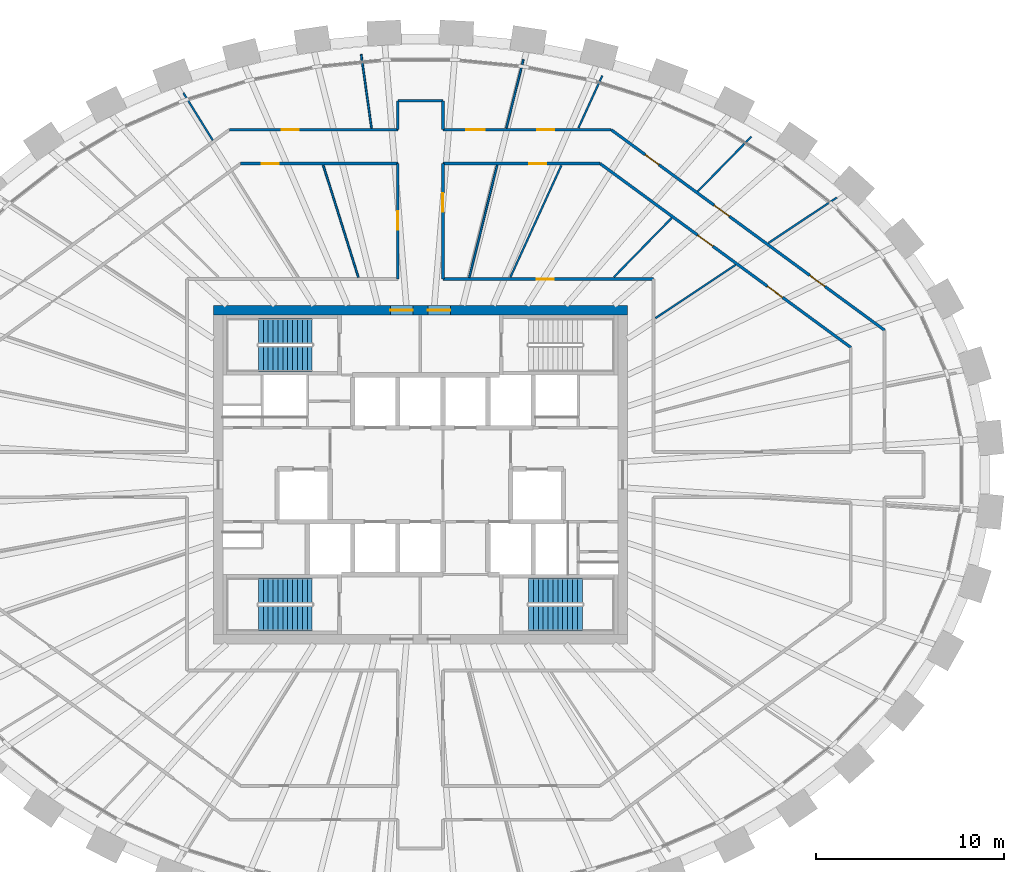
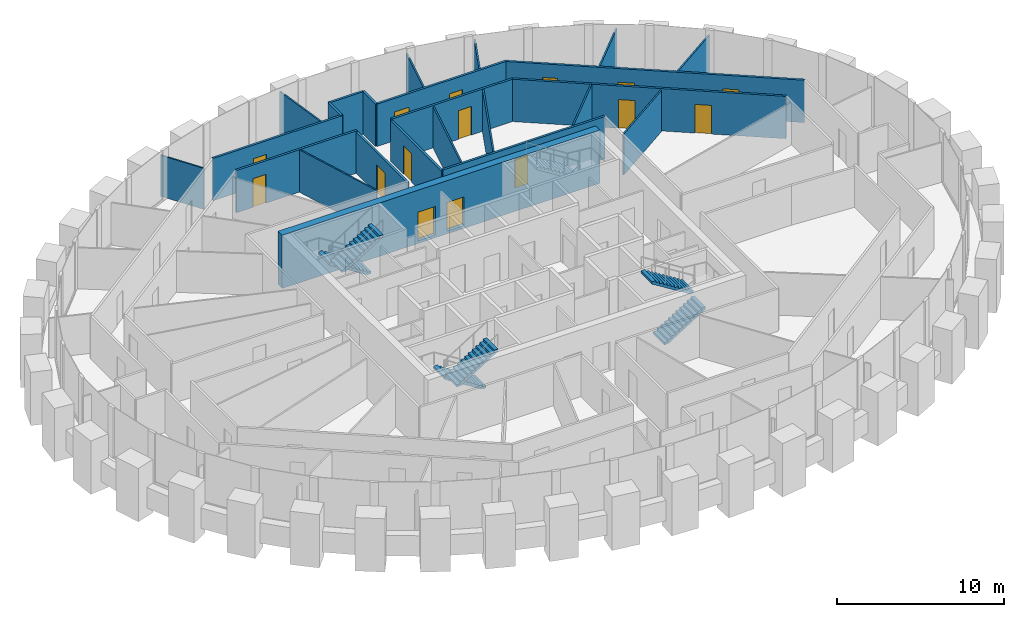
# One storey, part 10 of 12: 24 walls, 15 doors, 6 stair flights, 15 openings, 3 elements without a shape of their own.
"""IFC4 building model written with IfcOpenShell, lengths in metres."""

from ifc_helpers import new_model, si_unit, direction, frame, frame_2d, origin, place, context, subcontext, project, spatial, polyline, rectangle, outline, extrude, source, transform, mapped, material, layer, layer_set, type_object, element, fill, aggregate, save


model = new_model("IFC4")

# Units and contexts
model_context = context("Model", 3, precision=1e-05, world=origin(), true_north=direction((0.0, 1.0)))
body_context = subcontext(model_context, "Body", "Model", "MODEL_VIEW")
ifc_project = project(units=[si_unit("LENGTHUNIT", "METRE"), si_unit("AREAUNIT", "SQUARE_METRE"), si_unit("VOLUMEUNIT", "CUBIC_METRE"), si_unit("PLANEANGLEUNIT", "RADIAN"), si_unit("MASSUNIT", "GRAM", prefix="KILO")], contexts=[model_context])

# Site, building, storey
site_placement = place(None, origin())
site = spatial("IfcSite", under=ifc_project, at=site_placement, CompositionType="ELEMENT")
building_placement = place(site_placement, origin())
building = spatial("IfcBuilding", under=site, at=building_placement, Name="Embergate Tower", CompositionType="ELEMENT")
storey_placement = place(building_placement, frame((0.0, 0.0, 313.0)))
storey = spatial("IfcBuildingStorey", under=building, at=storey_placement, Name="L73", CompositionType="ELEMENT", Elevation=313.0)

# Wall, openings, doors
ifc_material_1 = material(Name="Concrete C50", Category="concrete")
ifc_layer_1 = layer(ifc_material_1, 0.5)
ifc_layer_set_1 = layer_set([ifc_layer_1], Name="Concrete C50")
wall_type_1 = type_object("IfcWallType", Name="Core outer wall C50 500", PredefinedType="SHEAR", material=ifc_layer_set_1)
shared_shape_1 = source(origin(), body_context, "Body", "SweptSolid", [
    extrude(rectangle(XDim=22.0, YDim=0.5, at=frame_2d((11.0, 0.0))), origin(), (0.0, 0.0, 1.0), 3.89990234375),
])
wall_1_placement = place(storey_placement, frame((-11.0, 8.75, -0.199951171875), z_axis=(0.0, 0.0, 1.0), x_axis=(1.0, 0.0, 0.0)))
wall_1 = element("IfcWall", 1, at=wall_1_placement, inside=storey, type_object=wall_type_1, Name="CW-L73-N", PredefinedType="SHEAR", context=body_context, shape_type="MappedRepresentation", body=[
    mapped(shared_shape_1, transform((0.0, 0.0, 0.0))),
])
shared_shape_2 = source(origin(), body_context, "Body", "SweptSolid", [
    extrude(rectangle(XDim=1.199951171875, YDim=2.10009765625, at=frame_2d((0.60009765625, 1.050048828125))), frame((0.0, 0.260009765625, 0.0), z_axis=(0.0, -1.0, 0.0), x_axis=(1.0, 0.0, 0.0)), (0.0, 0.0, 1.0), 0.52001953125),
])
opening_1_placement = place(wall_1_placement, frame((9.39990234375, 0.0, 0.199951171875)))
opening_1 = element("IfcOpeningElement", 2, at=opening_1_placement, cuts=wall_1, Name="Opening IF-1", PredefinedType="OPENING", context=body_context, shape_type="MappedRepresentation", body=[
    mapped(shared_shape_2, transform((0.0, 0.0, 0.0))),
])
opening_2_placement = place(wall_1_placement, frame((11.39990234375, 0.0, 0.199951171875)))
opening_2 = element("IfcOpeningElement", 3, at=opening_2_placement, cuts=wall_1, Name="Opening IF-1", PredefinedType="OPENING", context=body_context, shape_type="MappedRepresentation", body=[
    mapped(shared_shape_2, transform((0.0, 0.0, 0.0))),
])
ifc_material_2 = material(Name="Escape fire door 1200")
door_type_1 = type_object("IfcDoorType", Name="Escape fire door 1200", OperationType="SINGLE_SWING_LEFT", PredefinedType="DOOR", material=ifc_material_2)
shared_shape_3 = source(origin(), body_context, "Body", "SweptSolid", [
    extrude(rectangle(XDim=1.199951171875, YDim=2.10009765625, at=frame_2d((0.60009765625, 1.050048828125))), frame((0.0, 0.02490234375, 0.0), z_axis=(0.0, -1.0, 0.0), x_axis=(1.0, 0.0, 0.0)), (0.0, 0.0, 1.0), 0.050048828125),
])
door_1_placement = place(opening_1_placement, origin())
door_1 = element("IfcDoor", 4, at=door_1_placement, inside=storey, type_object=door_type_1, Name="IF-1 door", OperationType="SINGLE_SWING_LEFT", OverallHeight=2.10009765625, OverallWidth=1.199951171875, PredefinedType="DOOR", context=body_context, shape_type="MappedRepresentation", body=[
    mapped(shared_shape_3, transform((0.0, 0.0, 0.0))),
])
fill(opening_1, door_1)
door_2_placement = place(opening_2_placement, origin())
door_2 = element("IfcDoor", 5, at=door_2_placement, inside=storey, type_object=door_type_1, Name="IF-1 door", OperationType="SINGLE_SWING_RIGHT", OverallHeight=2.10009765625, OverallWidth=1.199951171875, PredefinedType="DOOR", context=body_context, shape_type="MappedRepresentation", body=[
    mapped(shared_shape_3, transform((0.0, 0.0, 0.0))),
])
fill(opening_2, door_2)

# Wall, opening, door
ifc_material_3 = material(Name="Corridor wall dry-lined 150")
ifc_layer_2 = layer(ifc_material_3, 0.14990234375)
ifc_layer_set_2 = layer_set([ifc_layer_2], Name="Corridor wall dry-lined 150")
wall_type_2 = type_object("IfcWallType", Name="Corridor wall dry-lined 150", PredefinedType="PARTITIONING", material=ifc_layer_set_2)
shared_shape_4 = source(origin(), body_context, "Body", "SweptSolid", [
    extrude(rectangle(XDim=11.199951171875, YDim=0.14990234375, at=frame_2d((5.60009765625, 0.0))), origin(), (0.0, 0.0, 1.0), 3.10009765625),
])
wall_2_placement = place(storey_placement, frame((12.39990234375, 10.39990234375, 0.0), z_axis=(0.0, 0.0, 1.0), x_axis=(-1.0, 0.0, 0.0)))
wall_2 = element("IfcWall", 6, at=wall_2_placement, inside=storey, type_object=wall_type_2, Name="IP-2 wall", PredefinedType="PARTITIONING", context=body_context, shape_type="MappedRepresentation", body=[
    mapped(shared_shape_4, transform((0.0, 0.0, 0.0))),
])
shared_shape_5 = source(origin(), body_context, "Body", "SweptSolid", [
    extrude(rectangle(XDim=0.89990234375, YDim=2.10009765625, at=frame_2d((0.449951171875, 1.050048828125))), frame((0.0, 0.0849609375, 0.0), z_axis=(0.0, -1.0, 0.0), x_axis=(1.0, 0.0, 0.0)), (0.0, 0.0, 1.0), 0.169921875),
])
opening_3_placement = place(wall_2_placement, frame((5.31591796875, 0.0, 0.0)))
opening_3 = element("IfcOpeningElement", 7, at=opening_3_placement, cuts=wall_2, Name="Opening IF-1c", PredefinedType="OPENING", context=body_context, shape_type="MappedRepresentation", body=[
    mapped(shared_shape_5, transform((0.0, 0.0, 0.0))),
])
ifc_material_4 = material(Name="Escape fire door 900")
door_type_2 = type_object("IfcDoorType", Name="Escape fire door 900", OperationType="SINGLE_SWING_LEFT", PredefinedType="DOOR", material=ifc_material_4)
shared_shape_6 = source(origin(), body_context, "Body", "SweptSolid", [
    extrude(rectangle(XDim=0.89990234375, YDim=2.10009765625, at=frame_2d((0.449951171875, 1.050048828125))), frame((0.0, 0.02490234375, 0.0), z_axis=(0.0, -1.0, 0.0), x_axis=(1.0, 0.0, 0.0)), (0.0, 0.0, 1.0), 0.050048828125),
])
door_3_placement = place(opening_3_placement, origin())
door_3 = element("IfcDoor", 8, at=door_3_placement, inside=storey, type_object=door_type_2, Name="IF-1 door", OperationType="SINGLE_SWING_LEFT", OverallHeight=2.10009765625, OverallWidth=0.89990234375, PredefinedType="DOOR", context=body_context, shape_type="MappedRepresentation", body=[
    mapped(shared_shape_6, transform((0.0, 0.0, 0.0))),
])
fill(opening_3, door_3)

# Wall
shared_shape_7 = source(origin(), body_context, "Body", "SweptSolid", [
    extrude(rectangle(XDim=2.39990234375, YDim=0.14990234375, at=frame_2d((1.199951171875, 0.0))), origin(), (0.0, 0.0, 1.0), 3.10009765625),
])
wall_3_placement = place(storey_placement, frame((-1.199951171875, 19.8779296875, 0.0), z_axis=(0.0, 0.0, 1.0), x_axis=(1.0, 0.0, 0.0)))
element("IfcWall", 9, at=wall_3_placement, inside=storey, type_object=wall_type_2, Name="IP-2 wall", PredefinedType="PARTITIONING", context=body_context, shape_type="MappedRepresentation", body=[
    mapped(shared_shape_7, transform((0.0, 0.0, 0.0))),
])

# Wall, openings, doors
shared_shape_8 = source(origin(), body_context, "Body", "SweptSolid", [
    extrude(rectangle(XDim=18.027099609375, YDim=0.14990234375, at=frame_2d((9.013671875, 0.0))), origin(), (0.0, 0.0, 1.0), 3.10009765625),
])
wall_4_placement = place(storey_placement, frame((24.681884765625, 7.679931640625, 0.0), z_axis=(0.0, 0.0, 1.0), x_axis=(-0.80638475932, 0.591391257914, 0.0)))
wall_4 = element("IfcWall", 10, at=wall_4_placement, inside=storey, type_object=wall_type_2, Name="IP-2 wall", PredefinedType="PARTITIONING", context=body_context, shape_type="MappedRepresentation", body=[
    mapped(shared_shape_8, transform((0.0, 0.0, 0.0))),
])
shared_shape_9 = source(origin(), body_context, "Body", "SweptSolid", [
    extrude(rectangle(XDim=1.0, YDim=2.10009765625, at=frame_2d((0.5, 1.050048828125))), frame((0.0, 0.0849609375, 0.0), z_axis=(0.0, -1.0, 0.0), x_axis=(1.0, 0.0, 0.0)), (0.0, 0.0, 1.0), 0.169921875),
])
opening_4_placement = place(wall_4_placement, frame((3.932861328125, 0.0, 0.0)))
opening_4 = element("IfcOpeningElement", 11, at=opening_4_placement, cuts=wall_4, Name="Opening ID-2", PredefinedType="OPENING", context=body_context, shape_type="MappedRepresentation", body=[
    mapped(shared_shape_9, transform((0.0, 0.0, 0.0))),
])
opening_5_placement = place(wall_4_placement, frame((10.23876953125, 0.0, 0.0)))
opening_5 = element("IfcOpeningElement", 12, at=opening_5_placement, cuts=wall_4, Name="Opening ID-2", PredefinedType="OPENING", context=body_context, shape_type="MappedRepresentation", body=[
    mapped(shared_shape_9, transform((0.0, 0.0, 0.0))),
])
opening_6_placement = place(wall_4_placement, frame((14.87939453125, 0.0, 0.0)))
opening_6 = element("IfcOpeningElement", 13, at=opening_6_placement, cuts=wall_4, Name="Opening IF-1c", PredefinedType="OPENING", context=body_context, shape_type="MappedRepresentation", body=[
    mapped(shared_shape_5, transform((0.0, 0.0, 0.0))),
])
door_4_placement = place(opening_6_placement, origin())
door_4 = element("IfcDoor", 14, at=door_4_placement, inside=storey, type_object=door_type_2, Name="IF-1 door", OperationType="SINGLE_SWING_LEFT", OverallHeight=2.10009765625, OverallWidth=0.89990234375, PredefinedType="DOOR", context=body_context, shape_type="MappedRepresentation", body=[
    mapped(shared_shape_6, transform((0.0, 0.0, 0.0))),
])
fill(opening_6, door_4)
ifc_material_5 = material(Name="Interior door 1000")
door_type_3 = type_object("IfcDoorType", Name="Interior door 1000", OperationType="SINGLE_SWING_LEFT", PredefinedType="DOOR", material=ifc_material_5)
shared_shape_10 = source(origin(), body_context, "Body", "SweptSolid", [
    extrude(rectangle(XDim=1.0, YDim=2.10009765625, at=frame_2d((0.5, 1.050048828125))), frame((0.0, 0.02490234375, 0.0), z_axis=(0.0, -1.0, 0.0), x_axis=(1.0, 0.0, 0.0)), (0.0, 0.0, 1.0), 0.050048828125),
])
door_5_placement = place(opening_4_placement, origin())
door_5 = element("IfcDoor", 15, at=door_5_placement, inside=storey, type_object=door_type_3, Name="ID-2 door", OperationType="SINGLE_SWING_RIGHT", OverallHeight=2.10009765625, OverallWidth=1.0, PredefinedType="DOOR", context=body_context, shape_type="MappedRepresentation", body=[
    mapped(shared_shape_10, transform((0.0, 0.0, 0.0))),
])
fill(opening_4, door_5)
door_6_placement = place(opening_5_placement, origin())
door_6 = element("IfcDoor", 16, at=door_6_placement, inside=storey, type_object=door_type_3, Name="ID-2 door", OperationType="SINGLE_SWING_LEFT", OverallHeight=2.10009765625, OverallWidth=1.0, PredefinedType="DOOR", context=body_context, shape_type="MappedRepresentation", body=[
    mapped(shared_shape_10, transform((0.0, 0.0, 0.0))),
])
fill(opening_5, door_6)

shared_shape_11 = source(origin(), body_context, "Body", "SweptSolid", [
    extrude(rectangle(XDim=16.525634765625, YDim=0.14990234375, at=frame_2d((8.2626953125, 0.0))), origin(), (0.0, 0.0, 1.0), 3.10009765625),
])
wall_5_placement = place(storey_placement, frame((9.555908203125, 16.541015625, 0.0), z_axis=(0.0, 0.0, 1.0), x_axis=(0.806392784122, -0.591380315631, 0.0)))
wall_5 = element("IfcWall", 17, at=wall_5_placement, inside=storey, type_object=wall_type_2, Name="IP-2 wall", PredefinedType="PARTITIONING", context=body_context, shape_type="MappedRepresentation", body=[
    mapped(shared_shape_11, transform((0.0, 0.0, 0.0))),
])
opening_7_placement = place(wall_5_placement, frame((11.03271484375, 0.0, 0.0)))
opening_7 = element("IfcOpeningElement", 18, at=opening_7_placement, cuts=wall_5, Name="Opening ID-2", PredefinedType="OPENING", context=body_context, shape_type="MappedRepresentation", body=[
    mapped(shared_shape_9, transform((0.0, 0.0, 0.0))),
])
opening_8_placement = place(wall_5_placement, frame((6.4345703125, 0.0, 0.0)))
opening_8 = element("IfcOpeningElement", 19, at=opening_8_placement, cuts=wall_5, Name="Opening ID-2", PredefinedType="OPENING", context=body_context, shape_type="MappedRepresentation", body=[
    mapped(shared_shape_9, transform((0.0, 0.0, 0.0))),
])
door_7_placement = place(opening_7_placement, origin())
door_7 = element("IfcDoor", 20, at=door_7_placement, inside=storey, type_object=door_type_3, Name="ID-2 door", OperationType="SINGLE_SWING_LEFT", OverallHeight=2.10009765625, OverallWidth=1.0, PredefinedType="DOOR", context=body_context, shape_type="MappedRepresentation", body=[
    mapped(shared_shape_10, transform((0.0, 0.0, 0.0))),
])
fill(opening_7, door_7)
door_8_placement = place(opening_8_placement, origin())
door_8 = element("IfcDoor", 21, at=door_8_placement, inside=storey, type_object=door_type_3, Name="ID-2 door", OperationType="SINGLE_SWING_RIGHT", OverallHeight=2.10009765625, OverallWidth=1.0, PredefinedType="DOOR", context=body_context, shape_type="MappedRepresentation", body=[
    mapped(shared_shape_10, transform((0.0, 0.0, 0.0))),
])
fill(opening_8, door_8)

shared_shape_12 = source(origin(), body_context, "Body", "SweptSolid", [
    extrude(rectangle(XDim=8.945068359375, YDim=0.14990234375, at=frame_2d((4.47265625, 0.0))), origin(), (0.0, 0.0, 1.0), 3.10009765625),
])
wall_6_placement = place(storey_placement, frame((10.14501953125, 18.341064453125, 0.0), z_axis=(0.0, 0.0, 1.0), x_axis=(-1.0, 0.0, 0.0)))
wall_6 = element("IfcWall", 22, at=wall_6_placement, inside=storey, type_object=wall_type_2, Name="IP-2 wall", PredefinedType="PARTITIONING", context=body_context, shape_type="MappedRepresentation", body=[
    mapped(shared_shape_12, transform((0.0, 0.0, 0.0))),
])
opening_9_placement = place(wall_6_placement, frame((3.0302734375, 0.0, 0.0)))
opening_9 = element("IfcOpeningElement", 23, at=opening_9_placement, cuts=wall_6, Name="Opening IF-1c", PredefinedType="OPENING", context=body_context, shape_type="MappedRepresentation", body=[
    mapped(shared_shape_5, transform((0.0, 0.0, 0.0))),
])
opening_10_placement = place(wall_6_placement, frame((6.71630859375, 0.0, 0.0)))
opening_10 = element("IfcOpeningElement", 24, at=opening_10_placement, cuts=wall_6, Name="Opening ID-2", PredefinedType="OPENING", context=body_context, shape_type="MappedRepresentation", body=[
    mapped(shared_shape_9, transform((0.0, 0.0, 0.0))),
])
door_9_placement = place(opening_9_placement, origin())
door_9 = element("IfcDoor", 25, at=door_9_placement, inside=storey, type_object=door_type_2, Name="IF-1 door", OperationType="SINGLE_SWING_RIGHT", OverallHeight=2.10009765625, OverallWidth=0.89990234375, PredefinedType="DOOR", context=body_context, shape_type="MappedRepresentation", body=[
    mapped(shared_shape_6, transform((0.0, 0.0, 0.0))),
])
fill(opening_9, door_9)
door_10_placement = place(opening_10_placement, origin())
door_10 = element("IfcDoor", 26, at=door_10_placement, inside=storey, type_object=door_type_3, Name="ID-2 door", OperationType="SINGLE_SWING_LEFT", OverallHeight=2.10009765625, OverallWidth=1.0, PredefinedType="DOOR", context=body_context, shape_type="MappedRepresentation", body=[
    mapped(shared_shape_10, transform((0.0, 0.0, 0.0))),
])
fill(opening_10, door_10)

# Wall, opening, door
wall_7_placement = place(storey_placement, frame((-10.14501953125, 18.341064453125, 0.0), z_axis=(0.0, 0.0, 1.0), x_axis=(1.0, 0.0, 0.0)))
wall_7 = element("IfcWall", 27, at=wall_7_placement, inside=storey, type_object=wall_type_2, Name="IP-2 wall", PredefinedType="PARTITIONING", context=body_context, shape_type="MappedRepresentation", body=[
    mapped(shared_shape_12, transform((0.0, 0.0, 0.0))),
])
opening_11_placement = place(wall_7_placement, frame((2.787353515625, 0.0, 0.0)))
opening_11 = element("IfcOpeningElement", 28, at=opening_11_placement, cuts=wall_7, Name="Opening IF-1c", PredefinedType="OPENING", context=body_context, shape_type="MappedRepresentation", body=[
    mapped(shared_shape_5, transform((0.0, 0.0, 0.0))),
])
door_11_placement = place(opening_11_placement, origin())
door_11 = element("IfcDoor", 29, at=door_11_placement, inside=storey, type_object=door_type_2, Name="IF-1 door", OperationType="SINGLE_SWING_LEFT", OverallHeight=2.10009765625, OverallWidth=0.89990234375, PredefinedType="DOOR", context=body_context, shape_type="MappedRepresentation", body=[
    mapped(shared_shape_6, transform((0.0, 0.0, 0.0))),
])
fill(opening_11, door_11)

# Walls
shared_shape_13 = source(origin(), body_context, "Body", "SweptSolid", [
    extrude(rectangle(XDim=1.536865234375, YDim=0.14990234375, at=frame_2d((0.7685546875, 0.0))), origin(), (0.0, 0.0, 1.0), 3.10009765625),
])
for number, where, z_axis, x_axis, name in (
    (30, (-1.199951171875, 18.341064453125, 0.0), (0.0, 0.0, 1.0), (0.0, 1.0, 0.0), "IP-2 wall"),
    (31, (1.199951171875, 19.8779296875, 0.0), (0.0, 0.0, 1.0), (0.0, -1.0, 0.0), "IP-2 wall"),
):
    element("IfcWall", number, at=place(storey_placement, frame(where, z_axis=z_axis, x_axis=x_axis)), inside=storey, type_object=wall_type_2, Name=name, PredefinedType="PARTITIONING", context=body_context, shape_type="MappedRepresentation", body=[
        mapped(shared_shape_13, transform((0.0, 0.0, 0.0))),
    ])

# Wall, opening, door
shared_shape_14 = source(origin(), body_context, "Body", "SweptSolid", [
    extrude(rectangle(XDim=8.35595703125, YDim=0.14990234375, at=frame_2d((4.177978515625, 0.0))), origin(), (0.0, 0.0, 1.0), 3.10009765625),
])
wall_8_placement = place(storey_placement, frame((9.555908203125, 16.541015625, 0.0), z_axis=(0.0, 0.0, 1.0), x_axis=(-1.0, 0.0, 0.0)))
wall_8 = element("IfcWall", 32, at=wall_8_placement, inside=storey, type_object=wall_type_2, Name="IP-2 wall", PredefinedType="PARTITIONING", context=body_context, shape_type="MappedRepresentation", body=[
    mapped(shared_shape_14, transform((0.0, 0.0, 0.0))),
])
opening_12_placement = place(wall_8_placement, frame((2.85693359375, 0.0, 0.0)))
opening_12 = element("IfcOpeningElement", 33, at=opening_12_placement, cuts=wall_8, Name="Opening IF-1c", PredefinedType="OPENING", context=body_context, shape_type="MappedRepresentation", body=[
    mapped(shared_shape_5, transform((0.0, 0.0, 0.0))),
])
door_12_placement = place(opening_12_placement, origin())
door_12 = element("IfcDoor", 34, at=door_12_placement, inside=storey, type_object=door_type_2, Name="IF-1 door", OperationType="SINGLE_SWING_LEFT", OverallHeight=2.10009765625, OverallWidth=0.89990234375, PredefinedType="DOOR", context=body_context, shape_type="MappedRepresentation", body=[
    mapped(shared_shape_6, transform((0.0, 0.0, 0.0))),
])
fill(opening_12, door_12)

wall_9_placement = place(storey_placement, frame((-1.199951171875, 16.541015625, 0.0), z_axis=(0.0, 0.0, 1.0), x_axis=(-1.0, 0.0, 0.0)))
wall_9 = element("IfcWall", 35, at=wall_9_placement, inside=storey, type_object=wall_type_2, Name="IP-2 wall", PredefinedType="PARTITIONING", context=body_context, shape_type="MappedRepresentation", body=[
    mapped(shared_shape_14, transform((0.0, 0.0, 0.0))),
])
opening_13_placement = place(wall_9_placement, frame((6.323974609375, 0.0, 0.0)))
opening_13 = element("IfcOpeningElement", 36, at=opening_13_placement, cuts=wall_9, Name="Opening IF-1c", PredefinedType="OPENING", context=body_context, shape_type="MappedRepresentation", body=[
    mapped(shared_shape_5, transform((0.0, 0.0, 0.0))),
])
door_13_placement = place(opening_13_placement, origin())
door_13 = element("IfcDoor", 37, at=door_13_placement, inside=storey, type_object=door_type_2, Name="IF-1 door", OperationType="SINGLE_SWING_RIGHT", OverallHeight=2.10009765625, OverallWidth=0.89990234375, PredefinedType="DOOR", context=body_context, shape_type="MappedRepresentation", body=[
    mapped(shared_shape_6, transform((0.0, 0.0, 0.0))),
])
fill(opening_13, door_13)

shared_shape_15 = source(origin(), body_context, "Body", "SweptSolid", [
    extrude(rectangle(XDim=6.14111328125, YDim=0.14990234375, at=frame_2d((3.070556640625, 0.0))), origin(), (0.0, 0.0, 1.0), 3.0),
])
wall_10_placement = place(storey_placement, frame((-1.199951171875, 10.39990234375, 0.0), z_axis=(0.0, 0.0, 1.0), x_axis=(0.0, 1.0, 0.0)))
wall_10 = element("IfcWall", 38, at=wall_10_placement, inside=storey, type_object=wall_type_2, Name="IP-2 wall", PredefinedType="PARTITIONING", context=body_context, shape_type="MappedRepresentation", body=[
    mapped(shared_shape_15, transform((0.0, 0.0, 0.0))),
])
opening_14_placement = place(wall_10_placement, frame((2.615966796875, 0.0, 0.0)))
opening_14 = element("IfcOpeningElement", 39, at=opening_14_placement, cuts=wall_10, Name="Opening ID-2", PredefinedType="OPENING", context=body_context, shape_type="MappedRepresentation", body=[
    mapped(shared_shape_9, transform((0.0, 0.0, 0.0))),
])
door_14_placement = place(opening_14_placement, origin())
door_14 = element("IfcDoor", 40, at=door_14_placement, inside=storey, type_object=door_type_3, Name="ID-2 door", OperationType="SINGLE_SWING_RIGHT", OverallHeight=2.10009765625, OverallWidth=1.0, PredefinedType="DOOR", context=body_context, shape_type="MappedRepresentation", body=[
    mapped(shared_shape_10, transform((0.0, 0.0, 0.0))),
])
fill(opening_14, door_14)

wall_11_placement = place(storey_placement, frame((1.199951171875, 16.541015625, 0.0), z_axis=(0.0, 0.0, 1.0), x_axis=(0.0, -1.0, 0.0)))
wall_11 = element("IfcWall", 41, at=wall_11_placement, inside=storey, type_object=wall_type_2, Name="IP-2 wall", PredefinedType="PARTITIONING", context=body_context, shape_type="MappedRepresentation", body=[
    mapped(shared_shape_15, transform((0.0, 0.0, 0.0))),
])
opening_15_placement = place(wall_11_placement, frame((1.571044921875, 0.0, 0.0)))
opening_15 = element("IfcOpeningElement", 42, at=opening_15_placement, cuts=wall_11, Name="Opening ID-2", PredefinedType="OPENING", context=body_context, shape_type="MappedRepresentation", body=[
    mapped(shared_shape_9, transform((0.0, 0.0, 0.0))),
])
door_15_placement = place(opening_15_placement, origin())
door_15 = element("IfcDoor", 43, at=door_15_placement, inside=storey, type_object=door_type_3, Name="ID-2 door", OperationType="SINGLE_SWING_RIGHT", OverallHeight=2.10009765625, OverallWidth=1.0, PredefinedType="DOOR", context=body_context, shape_type="MappedRepresentation", body=[
    mapped(shared_shape_10, transform((0.0, 0.0, 0.0))),
])
fill(opening_15, door_15)

# Walls
ifc_material_6 = material(Name="Partition dry-lined 100")
ifc_layer_3 = layer(ifc_material_6, 0.10009765625)
ifc_layer_set_3 = layer_set([ifc_layer_3], Name="Partition dry-lined 100")
wall_type_3 = type_object("IfcWallType", Name="Partition dry-lined 100", PredefinedType="PARTITIONING", material=ifc_layer_set_3)
shared_shape_16 = source(origin(), body_context, "Body", "SweptSolid", [
    extrude(rectangle(XDim=2.9609375, YDim=0.10009765625, at=frame_2d((1.48046875, 0.0))), origin(), (0.0, 0.0, 1.0), 3.0),
])
wall_12_placement = place(storey_placement, frame((-11.035888671875, 17.780029296875, 0.0), z_axis=(0.0, 0.0, 1.0), x_axis=(-0.527231490146, 0.849721693143, 0.0)))
element("IfcWall", 44, at=wall_12_placement, inside=storey, type_object=wall_type_3, Name="IP-1 wall", PredefinedType="PARTITIONING", context=body_context, shape_type="MappedRepresentation", body=[
    mapped(shared_shape_16, transform((0.0, 0.0, 0.0))),
])
shared_shape_17 = source(origin(), body_context, "Body", "SweptSolid", [
    extrude(rectangle(XDim=3.7626953125, YDim=0.10009765625, at=frame_2d((1.88134765625, 0.0))), origin(), (0.0, 0.0, 1.0), 3.0),
])
wall_13_placement = place(storey_placement, frame((4.573974609375, 18.427978515625, 0.0), z_axis=(0.0, 0.0, 1.0), x_axis=(0.240779579239, 0.970579823725, 0.0)))
element("IfcWall", 45, at=wall_13_placement, inside=storey, type_object=wall_type_3, Name="IP-1 wall", PredefinedType="PARTITIONING", context=body_context, shape_type="MappedRepresentation", body=[
    mapped(shared_shape_17, transform((0.0, 0.0, 0.0))),
])
shared_shape_18 = source(origin(), body_context, "Body", "SweptSolid", [
    extrude(rectangle(XDim=6.148193359375, YDim=0.10009765625, at=frame_2d((3.07421875, 0.0))), origin(), (0.0, 0.0, 1.0), 3.0),
])
wall_14_placement = place(storey_placement, frame((2.60302734375, 10.487060546875, 0.0), z_axis=(0.0, 0.0, 1.0), x_axis=(0.240881463777, 0.970554542727, 0.0)))
element("IfcWall", 46, at=wall_14_placement, inside=storey, type_object=wall_type_3, Name="IP-1 wall", PredefinedType="PARTITIONING", context=body_context, shape_type="MappedRepresentation", body=[
    mapped(shared_shape_18, transform((0.0, 0.0, 0.0))),
])
shared_shape_19 = source(origin(), body_context, "Body", "SweptSolid", [
    extrude(rectangle(XDim=4.36279296875, YDim=0.10009765625, at=frame_2d((2.181396484375, 0.0))), origin(), (0.0, 0.0, 1.0), 3.0),
])
wall_15_placement = place(storey_placement, frame((18.510009765625, 12.320068359375, 0.0), z_axis=(0.0, 0.0, 1.0), x_axis=(0.832514899446, 0.554002655409, 0.0)))
element("IfcWall", 47, at=wall_15_placement, inside=storey, type_object=wall_type_3, Name="IP-1 wall", PredefinedType="PARTITIONING", context=body_context, shape_type="MappedRepresentation", body=[
    mapped(shared_shape_19, transform((0.0, 0.0, 0.0))),
])
shared_shape_20 = source(origin(), body_context, "Body", "SweptSolid", [
    extrude(rectangle(XDim=5.103271484375, YDim=0.10009765625, at=frame_2d((2.5517578125, 0.0))), origin(), (0.0, 0.0, 1.0), 3.0),
])
wall_16_placement = place(storey_placement, frame((12.5029296875, 8.322021484375, 0.0), z_axis=(0.0, 0.0, 1.0), x_axis=(0.832425468101, 0.554137022817, 0.0)))
element("IfcWall", 48, at=wall_16_placement, inside=storey, type_object=wall_type_3, Name="IP-1 wall", PredefinedType="PARTITIONING", context=body_context, shape_type="MappedRepresentation", body=[
    mapped(shared_shape_20, transform((0.0, 0.0, 0.0))),
])
shared_shape_21 = source(origin(), body_context, "Body", "SweptSolid", [
    extrude(rectangle(XDim=4.0732421875, YDim=0.10009765625, at=frame_2d((2.03662109375, 0.0))), origin(), (0.0, 0.0, 1.0), 3.10009765625),
])
wall_17_placement = place(storey_placement, frame((17.60009765625, 17.97607421875, 0.0), z_axis=(0.0, 0.0, 1.0), x_axis=(-0.699696186737, -0.714440512755, 0.0)))
element("IfcWall", 49, at=wall_17_placement, inside=storey, type_object=wall_type_3, Name="IP-1 wall", PredefinedType="PARTITIONING", context=body_context, shape_type="MappedRepresentation", body=[
    mapped(shared_shape_21, transform((0.0, 0.0, 0.0))),
])
shared_shape_22 = source(origin(), body_context, "Body", "SweptSolid", [
    extrude(rectangle(XDim=3.053466796875, YDim=0.10009765625, at=frame_2d((1.52685546875, 0.0))), origin(), (0.0, 0.0, 1.0), 3.10009765625),
])
wall_18_placement = place(storey_placement, frame((8.405029296875, 18.43701171875, 0.0), z_axis=(0.0, 0.0, 1.0), x_axis=(0.414977311881, 0.909831759516, 0.0)))
element("IfcWall", 50, at=wall_18_placement, inside=storey, type_object=wall_type_3, Name="IP-1 wall", PredefinedType="PARTITIONING", context=body_context, shape_type="MappedRepresentation", body=[
    mapped(shared_shape_22, transform((0.0, 0.0, 0.0))),
])
shared_shape_23 = source(origin(), body_context, "Body", "SweptSolid", [
    extrude(rectangle(XDim=4.391357421875, YDim=0.10009765625, at=frame_2d((2.19580078125, 0.0))), origin(), (0.0, 0.0, 1.0), 3.10009765625),
])
wall_19_placement = place(storey_placement, frame((13.362060546875, 13.64794921875, 0.0), z_axis=(0.0, 0.0, 1.0), x_axis=(-0.699561519346, -0.714572376075, 0.0)))
element("IfcWall", 51, at=wall_19_placement, inside=storey, type_object=wall_type_3, Name="IP-1 wall", PredefinedType="PARTITIONING", context=body_context, shape_type="MappedRepresentation", body=[
    mapped(shared_shape_23, transform((0.0, 0.0, 0.0))),
])
shared_shape_24 = source(origin(), body_context, "Body", "SweptSolid", [
    extrude(rectangle(XDim=6.5380859375, YDim=0.10009765625, at=frame_2d((3.26904296875, 0.0))), origin(), (0.0, 0.0, 1.0), 3.10009765625),
])
wall_20_placement = place(storey_placement, frame((4.784912109375, 10.49609375, 0.0), z_axis=(0.0, 0.0, 1.0), x_axis=(0.414826760425, 0.909900411493, 0.0)))
element("IfcWall", 52, at=wall_20_placement, inside=storey, type_object=wall_type_3, Name="IP-1 wall", PredefinedType="PARTITIONING", context=body_context, shape_type="MappedRepresentation", body=[
    mapped(shared_shape_24, transform((0.0, 0.0, 0.0))),
])
shared_shape_25 = source(origin(), body_context, "Body", "SweptSolid", [
    extrude(rectangle(XDim=3.96240234375, YDim=0.10009765625, at=frame_2d((1.981201171875, 0.0))), origin(), (0.0, 0.0, 1.0), 3.10009765625),
])
wall_21_placement = place(storey_placement, frame((-2.594970703125, 18.423095703125, 0.0), z_axis=(0.0, 0.0, 1.0), x_axis=(-0.139307697399, 0.990249143118, 0.0)))
element("IfcWall", 53, at=wall_21_placement, inside=storey, type_object=wall_type_3, Name="IP-1 wall", PredefinedType="PARTITIONING", context=body_context, shape_type="MappedRepresentation", body=[
    mapped(shared_shape_25, transform((0.0, 0.0, 0.0))),
])
shared_shape_26 = source(origin(), body_context, "Body", "SweptSolid", [
    extrude(rectangle(XDim=6.247802734375, YDim=0.10009765625, at=frame_2d((3.1240234375, 0.0))), origin(), (0.0, 0.0, 1.0), 3.10009765625),
])
wall_22_placement = place(storey_placement, frame((-3.29296875, 10.489990234375, 0.0), z_axis=(0.0, 0.0, 1.0), x_axis=(-0.299485162949, 0.954100957537, 0.0)))
element("IfcWall", 54, at=wall_22_placement, inside=storey, type_object=wall_type_3, Name="IP-1 wall", PredefinedType="PARTITIONING", context=body_context, shape_type="MappedRepresentation", body=[
    mapped(shared_shape_26, transform((0.0, 0.0, 0.0))),
])

# Stair, stair flights
ifc_material_7 = material(Name="Exit stair")
stair_type = type_object("IfcStairType", Name="Exit stair", PredefinedType="HALF_TURN_STAIR", material=ifc_material_7)
stair_1_placement = place(storey_placement, origin())
stair_1 = element("IfcStair", 55, at=stair_1_placement, inside=storey, type_object=stair_type, Name="L73 Exit stair 1", PredefinedType="HALF_TURN_STAIR")
ifc_material_8 = material(Name="Concrete C40", Category="concrete")
stair_flight_type = type_object("IfcStairFlightType", Name="Stair flight reinforced concrete", PredefinedType="STRAIGHT", material=ifc_material_8)
shared_shape_27 = source(origin(), body_context, "Body", "SweptSolid", [
    extrude(outline(polyline([(0.0, 0.0), (0.0, 0.16259765625), (0.260009765625, 0.16259765625), (0.260009765625, 0.324951171875), (0.52001953125, 0.324951171875), (0.52001953125, 0.487548828125), (0.780029296875, 0.487548828125), (0.780029296875, 0.64990234375), (1.0400390625, 0.64990234375), (1.0400390625, 0.8125), (1.300048828125, 0.8125), (1.300048828125, 0.97509765625), (1.56005859375, 0.97509765625), (1.56005859375, 1.137451171875), (1.820068359375, 1.137451171875), (1.820068359375, 1.300048828125), (2.080078125, 1.300048828125), (2.080078125, 1.46240234375), (2.340087890625, 1.46240234375), (2.340087890625, 1.625), (2.60009765625, 1.625), (2.60009765625, 1.78759765625), (2.860107421875, 1.78759765625), (2.860107421875, 1.949951171875), (2.860107421875, 1.61083984375), (0.28271484375, 0.0), (0.0, 0.0)])), frame((0.0, 0.675048828125, 0.0), z_axis=(0.0, -1.0, 0.0), x_axis=(1.0, 0.0, 0.0)), (0.0, 0.0, 1.0), 1.35009765625),
])
stair_flight_1_placement = place(storey_placement, frame((-5.75, 7.625, 0.0), z_axis=(0.0, 0.0, 1.0), x_axis=(-1.0, 0.0, 0.0)))
stair_flight_1 = element("IfcStairFlight", 56, at=stair_flight_1_placement, type_object=stair_flight_type, Name="ST1 flight 1", NumberOfRisers=12, NumberOfTreads=11, PredefinedType="STRAIGHT", RiserHeight=0.1625, TreadLength=0.26, context=body_context, shape_type="MappedRepresentation", body=[
    mapped(shared_shape_27, transform((0.0, 0.0, 0.0))),
])
stair_flight_2_placement = place(storey_placement, frame((-8.610107421875, 6.175048828125, 1.949951171875), z_axis=(0.0, 0.0, 1.0), x_axis=(1.0, 0.0, 0.0)))
stair_flight_2 = element("IfcStairFlight", 57, at=stair_flight_2_placement, type_object=stair_flight_type, Name="ST1 flight 2", NumberOfRisers=12, NumberOfTreads=11, PredefinedType="STRAIGHT", RiserHeight=0.1625, TreadLength=0.26, context=body_context, shape_type="MappedRepresentation", body=[
    mapped(shared_shape_27, transform((0.0, 0.0, 0.0))),
])
aggregate(stair_1, [stair_flight_1, stair_flight_2])

stair_2_placement = place(storey_placement, origin())
stair_2 = element("IfcStair", 58, at=stair_2_placement, inside=storey, type_object=stair_type, Name="L73 Exit stair 3", PredefinedType="HALF_TURN_STAIR")
stair_flight_3_placement = place(storey_placement, frame((-5.75, -6.175048828125, 0.0), z_axis=(0.0, 0.0, 1.0), x_axis=(-1.0, 0.0, 0.0)))
stair_flight_3 = element("IfcStairFlight", 59, at=stair_flight_3_placement, type_object=stair_flight_type, Name="ST3 flight 1", NumberOfRisers=12, NumberOfTreads=11, PredefinedType="STRAIGHT", RiserHeight=0.1625, TreadLength=0.26, context=body_context, shape_type="MappedRepresentation", body=[
    mapped(shared_shape_27, transform((0.0, 0.0, 0.0))),
])
stair_flight_4_placement = place(storey_placement, frame((-8.610107421875, -7.625, 1.949951171875), z_axis=(0.0, 0.0, 1.0), x_axis=(1.0, 0.0, 0.0)))
stair_flight_4 = element("IfcStairFlight", 60, at=stair_flight_4_placement, type_object=stair_flight_type, Name="ST3 flight 2", NumberOfRisers=12, NumberOfTreads=11, PredefinedType="STRAIGHT", RiserHeight=0.1625, TreadLength=0.26, context=body_context, shape_type="MappedRepresentation", body=[
    mapped(shared_shape_27, transform((0.0, 0.0, 0.0))),
])
aggregate(stair_2, [stair_flight_3, stair_flight_4])

stair_3_placement = place(storey_placement, origin())
stair_3 = element("IfcStair", 61, at=stair_3_placement, inside=storey, type_object=stair_type, Name="L73 Exit stair 4", PredefinedType="HALF_TURN_STAIR")
stair_flight_5_placement = place(storey_placement, frame((5.75, -7.625, 0.0), z_axis=(0.0, 0.0, 1.0), x_axis=(1.0, 0.0, 0.0)))
stair_flight_5 = element("IfcStairFlight", 62, at=stair_flight_5_placement, type_object=stair_flight_type, Name="ST4 flight 1", NumberOfRisers=12, NumberOfTreads=11, PredefinedType="STRAIGHT", RiserHeight=0.1625, TreadLength=0.26, context=body_context, shape_type="MappedRepresentation", body=[
    mapped(shared_shape_27, transform((0.0, 0.0, 0.0))),
])
stair_flight_6_placement = place(storey_placement, frame((8.610107421875, -6.175048828125, 1.949951171875), z_axis=(0.0, 0.0, 1.0), x_axis=(-1.0, 0.0, 0.0)))
stair_flight_6 = element("IfcStairFlight", 63, at=stair_flight_6_placement, type_object=stair_flight_type, Name="ST4 flight 2", NumberOfRisers=12, NumberOfTreads=11, PredefinedType="STRAIGHT", RiserHeight=0.1625, TreadLength=0.26, context=body_context, shape_type="MappedRepresentation", body=[
    mapped(shared_shape_27, transform((0.0, 0.0, 0.0))),
])
aggregate(stair_3, [stair_flight_5, stair_flight_6])

save(model, "model.ifc")
